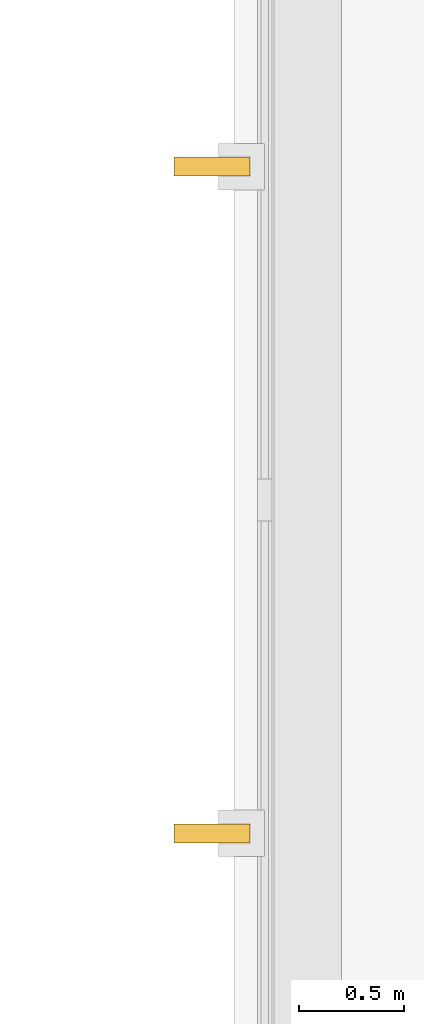
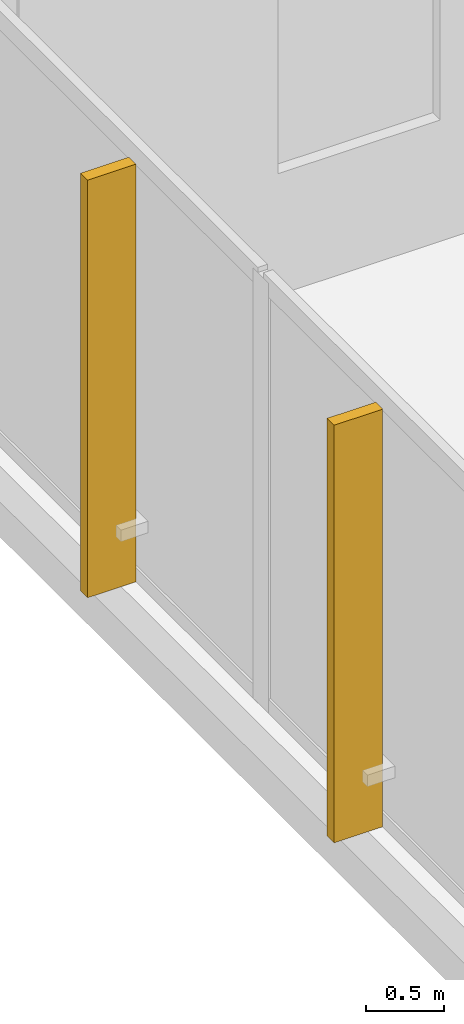
# One storey, part 33 of 35: 2 shading devices.
"""IFC4 building model written with IfcOpenShell, lengths in metres."""

from ifc_helpers import new_model, si_unit, direction, frame, origin, origin_2d, place, context, subcontext, project, spatial, rectangle, extrude, material, type_object, element, save


model = new_model("IFC4")

# Units and contexts
model_context = context("Model", 3, precision=1e-05, world=origin(), true_north=direction((0.0, 1.0)))
body_context = subcontext(model_context, "Body", "Model", "MODEL_VIEW")
ifc_project = project(units=[si_unit("LENGTHUNIT", "METRE"), si_unit("AREAUNIT", "SQUARE_METRE"), si_unit("VOLUMEUNIT", "CUBIC_METRE"), si_unit("PLANEANGLEUNIT", "RADIAN"), si_unit("MASSUNIT", "GRAM", prefix="KILO")], contexts=[model_context])

# Site, building, storey
site_placement = place(None, origin())
site = spatial("IfcSite", under=ifc_project, at=site_placement, CompositionType="ELEMENT")
building_placement = place(site_placement, origin())
building = spatial("IfcBuilding", under=site, at=building_placement, Name="Birchvale Park Specialist Clinic", CompositionType="ELEMENT")
storey_placement = place(building_placement, frame((0.0, 0.0, 13.800048828125)))
storey = spatial("IfcBuildingStorey", under=building, at=storey_placement, Name="L03", CompositionType="ELEMENT", Elevation=13.800048828125)

# Shading devices
ifc_material = material(Name="Glulam GL28h", Category="wood")
shading_device_type = type_object("IfcShadingDeviceType", Name="SHD-FIN1", PredefinedType="USERDEFINED", material=ifc_material)
for number, where, z_axis, x_axis, name in (
    (1, (127.89501953125, 88.592041015625, 0.050048828125), (0.0, 0.0, 1.0), (1.0, 0.0, 0.0), "V6 L03 glulam solar fin 53"),
    (2, (127.89501953125, 85.427978515625, 0.050048828125), (0.0, 0.0, 1.0), (1.0, 0.0, 0.0), "V6 L03 glulam solar fin 54"),
):
    element("IfcShadingDevice", number, at=place(storey_placement, frame(where, z_axis=z_axis, x_axis=x_axis)), inside=storey, type_object=shading_device_type, Name=name, ObjectType="FIN", PredefinedType="USERDEFINED", context=body_context, shape_type="SweptSolid", body=[
        extrude(rectangle(XDim=0.360107421875, YDim=0.090087890625, at=origin_2d()), origin(), (0.0, 0.0, 1.0), 3.27001953125),
    ])

save(model, "model.ifc")
